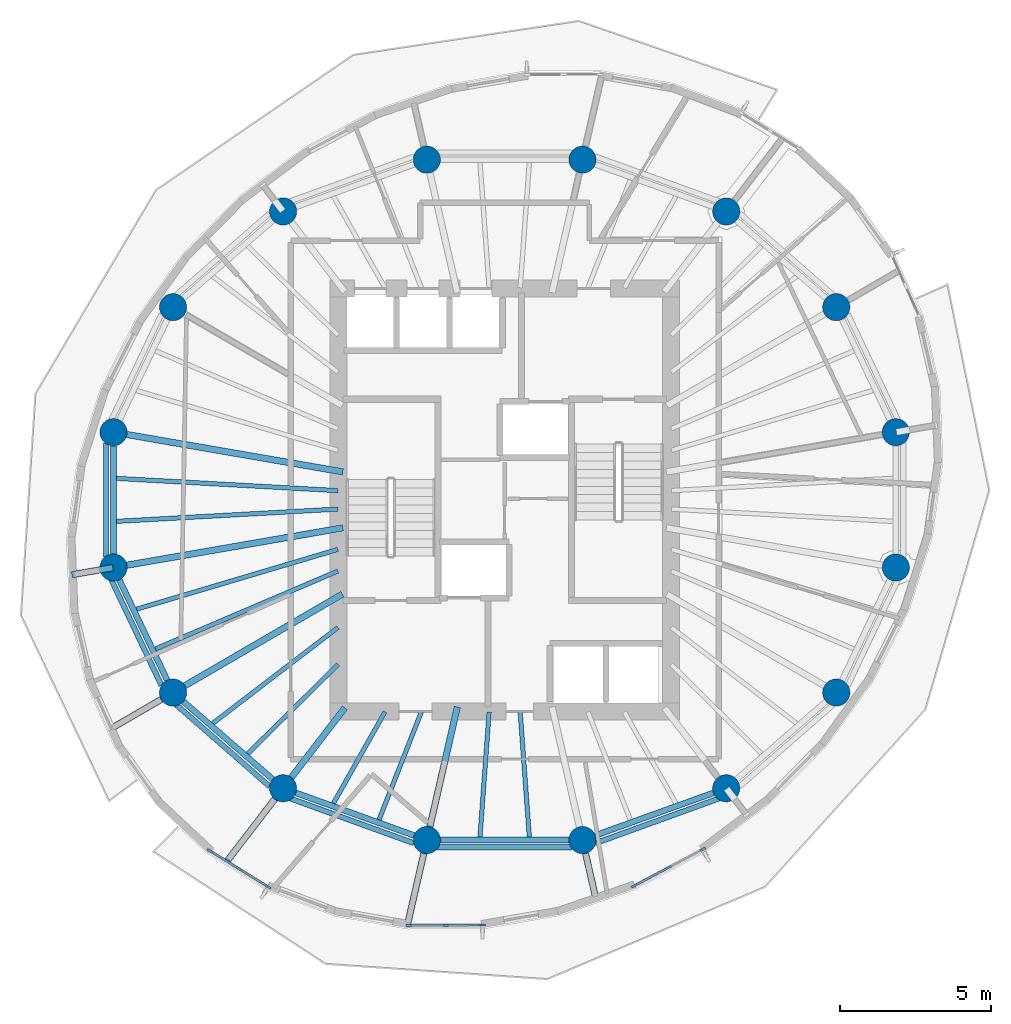
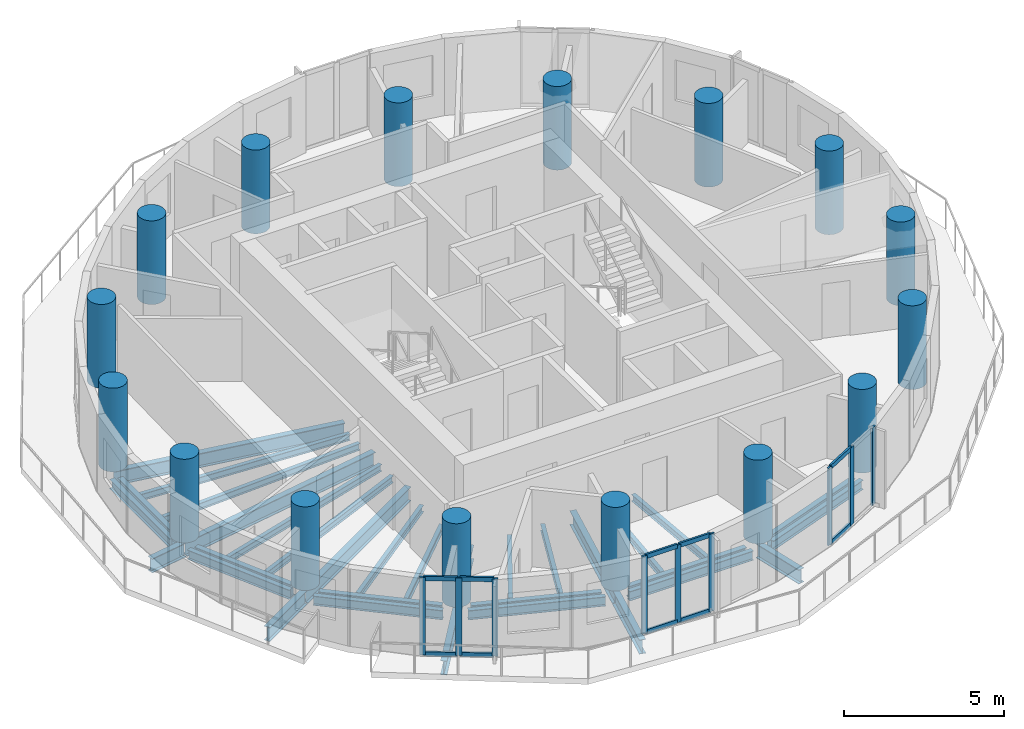
# One storey, part 1 of 10: 32 beams, 19 members, 16 columns, 3 elements without a shape of their own.
"""IFC4 building model written with IfcOpenShell, lengths in metres."""

from ifc_helpers import new_model, si_unit, direction, frame, origin, origin_2d, place, context, subcontext, project, spatial, rectangle, circle, i_section, extrude, material, material_profile, profile_set, type_object, element, aggregate, save


model = new_model("IFC4")

# Units and contexts
model_context = context("Model", 3, precision=1e-05, world=origin(), true_north=direction((0.0, 1.0)))
body_context = subcontext(model_context, "Body", "Model", "MODEL_VIEW")
ifc_project = project(units=[si_unit("LENGTHUNIT", "METRE"), si_unit("AREAUNIT", "SQUARE_METRE"), si_unit("VOLUMEUNIT", "CUBIC_METRE"), si_unit("PLANEANGLEUNIT", "RADIAN"), si_unit("MASSUNIT", "GRAM", prefix="KILO")], contexts=[model_context])

# Site, building, storey
site_placement = place(None, origin())
site = spatial("IfcSite", under=ifc_project, at=site_placement, CompositionType="ELEMENT")
building_placement = place(site_placement, origin())
building = spatial("IfcBuilding", under=site, at=building_placement, Name="Veldorim Arch Residences", CompositionType="ELEMENT")
storey_placement = place(building_placement, frame((0.0, 0.0, 169.43994140625)))
storey = spatial("IfcBuildingStorey", under=building, at=storey_placement, Name="L50", CompositionType="ELEMENT", Elevation=169.43994140625)

# Columns
ifc_material_1 = material(Name="Concrete C50/60", Category="concrete")
ifc_material_profile_1 = material_profile(ifc_material_1, circle(Radius=0.449951171875, at=origin_2d()), Name="RC_CIRC_900")
ifc_profile_set_1 = profile_set([ifc_material_profile_1], Name="Concrete C50/60")
column_type = type_object("IfcColumnType", Name="Structural Column RC_CIRC_900", PredefinedType="COLUMN", material=ifc_profile_set_1)
for number, where, z_axis, x_axis, name in (
    (1, (44.9462890625, 26.239501953125, 0.0), (0.0, 0.0, 1.0), (1.0, 0.0, 0.0), "L50 TC-Z4-01 perimeter column"),
    (2, (42.975341796875, 30.3779296875, 0.0), (0.0, 0.0, 1.0), (1.0, 0.0, 0.0), "L50 TC-Z4-02 perimeter column"),
    (3, (39.33349609375, 33.54541015625, 0.0), (0.0, 0.0, 1.0), (1.0, 0.0, 0.0), "L50 TC-Z4-03 perimeter column"),
    (4, (34.5751953125, 35.259521484375, 0.0), (0.0, 0.0, 1.0), (1.0, 0.0, 0.0), "L50 TC-Z4-04 perimeter column"),
    (5, (29.4248046875, 35.259521484375, 0.0), (0.0, 0.0, 1.0), (1.0, 0.0, 0.0), "L50 TC-Z4-05 perimeter column"),
    (6, (24.66650390625, 33.54541015625, 0.0), (0.0, 0.0, 1.0), (1.0, 0.0, 0.0), "L50 TC-Z4-06 perimeter column"),
    (7, (21.024658203125, 30.3779296875, 0.0), (0.0, 0.0, 1.0), (1.0, 0.0, 0.0), "L50 TC-Z4-07 perimeter column"),
    (8, (19.0537109375, 26.239501953125, 0.0), (0.0, 0.0, 1.0), (1.0, 0.0, 0.0), "L50 TC-Z4-08 perimeter column"),
    (9, (19.0537109375, 21.760498046875, 0.0), (0.0, 0.0, 1.0), (1.0, 0.0, 0.0), "L50 TC-Z4-09 perimeter column"),
    (10, (21.024658203125, 17.6220703125, 0.0), (0.0, 0.0, 1.0), (1.0, 0.0, 0.0), "L50 TC-Z4-10 perimeter column"),
    (11, (24.66650390625, 14.45458984375, 0.0), (0.0, 0.0, 1.0), (1.0, 0.0, 0.0), "L50 TC-Z4-11 perimeter column"),
    (12, (29.4248046875, 12.740478515625, 0.0), (0.0, 0.0, 1.0), (1.0, 0.0, 0.0), "L50 TC-Z4-12 perimeter column"),
    (13, (34.5751953125, 12.740478515625, 0.0), (0.0, 0.0, 1.0), (1.0, 0.0, 0.0), "L50 TC-Z4-13 perimeter column"),
    (14, (39.33349609375, 14.45458984375, 0.0), (0.0, 0.0, 1.0), (1.0, 0.0, 0.0), "L50 TC-Z4-14 perimeter column"),
    (15, (42.975341796875, 17.6220703125, 0.0), (0.0, 0.0, 1.0), (1.0, 0.0, 0.0), "L50 TC-Z4-15 perimeter column"),
    (16, (44.9462890625, 21.760498046875, 0.0), (0.0, 0.0, 1.0), (1.0, 0.0, 0.0), "L50 TC-Z4-16 perimeter column"),
):
    element("IfcColumn", number, at=place(storey_placement, frame(where, z_axis=z_axis, x_axis=x_axis)), inside=storey, type_object=column_type, Name=name, PredefinedType="COLUMN", context=body_context, shape_type="SweptSolid", body=[
        extrude(circle(Radius=0.449951171875, at=origin_2d()), origin(), (0.0, 0.0, 1.0), 3.199951171875),
    ])

# Beams
ifc_material_2 = material(Name="Steel S355", Category="steel")
ifc_material_profile_2 = material_profile(ifc_material_2, i_section(OverallWidth=0.2119140625, OverallDepth=0.54443359375, WebThickness=0.0126953125, FlangeThickness=0.021240234375, at=origin_2d()), Name="UB533x210x122")
ifc_profile_set_2 = profile_set([ifc_material_profile_2], Name="Steel S355")
beam_type_1 = type_object("IfcBeamType", Name="Structural Steel Beam UB533x210x122", PredefinedType="BEAM", material=ifc_profile_set_2)
for number, where, z_axis, x_axis, name in (
    (17, (26.647705078125, 24.92578125, -0.51220703125), (-0.985364974081, 0.170457818401, 0.0), (-0.170457818401, -0.985364974081, 0.0), "L50 radial floor girder 08"),
    (18, (26.647705078125, 23.07421875, -0.51220703125), (-0.985364974081, -0.170457818401, 0.0), (0.170457818401, -0.985364974081, 0.0), "L50 radial floor girder 09"),
):
    element("IfcBeam", number, at=place(storey_placement, frame(where, z_axis=z_axis, x_axis=x_axis)), inside=storey, type_object=beam_type_1, Name=name, PredefinedType="BEAM", context=body_context, shape_type="SweptSolid", body=[
        extrude(i_section(OverallWidth=0.2119140625, OverallDepth=0.54443359375, WebThickness=0.0126953125, FlangeThickness=0.021240234375, at=origin_2d()), origin(), (0.0, 0.0, 1.0), 7.68701171875),
    ])
beam_1_placement = place(storey_placement, frame((19.033935546875, 21.757080078125, -0.51220703125), z_axis=(-0.985349360006, -0.170548054035, 0.0), x_axis=(0.170548054035, -0.985349360006, 0.0)))
element("IfcBeam", 19, at=beam_1_placement, inside=storey, type_object=beam_type_1, Name="L50 radial edge cantilever girder 09", PredefinedType="BEAM", context=body_context, shape_type="SweptSolid", body=[
    extrude(i_section(OverallWidth=0.2119140625, OverallDepth=0.54443359375, WebThickness=0.0126953125, FlangeThickness=0.021240234375, at=origin_2d()), origin(), (0.0, 0.0, 1.0), 1.377197265625),
])
beam_2_placement = place(storey_placement, frame((26.629638671875, 20.87939453125, -0.51220703125), z_axis=(-0.864595736304, -0.502468121142, 0.0), x_axis=(0.502468121142, -0.864595736304, 0.0)))
element("IfcBeam", 20, at=beam_2_placement, inside=storey, type_object=beam_type_1, Name="L50 radial floor girder 10", PredefinedType="BEAM", context=body_context, shape_type="SweptSolid", body=[
    extrude(i_section(OverallWidth=0.2119140625, OverallDepth=0.54443359375, WebThickness=0.0126953125, FlangeThickness=0.021240234375, at=origin_2d()), origin(), (0.0, 0.0, 1.0), 6.462646484375),
])
beam_3_placement = place(storey_placement, frame((21.00732421875, 17.612060546875, -0.51220703125), z_axis=(-0.864610127671, -0.502443357135, 0.0), x_axis=(0.502443357135, -0.864610127671, 0.0)))
element("IfcBeam", 21, at=beam_3_placement, inside=storey, type_object=beam_type_1, Name="L50 radial edge cantilever girder 10", PredefinedType="BEAM", context=body_context, shape_type="SweptSolid", body=[
    extrude(i_section(OverallWidth=0.2119140625, OverallDepth=0.54443359375, WebThickness=0.0126953125, FlangeThickness=0.021240234375, at=origin_2d()), origin(), (0.0, 0.0, 1.0), 2.372314453125),
])
beam_4_placement = place(storey_placement, frame((26.71337890625, 17.118896484375, -0.51220703125), z_axis=(-0.609258442308, -0.792971721108, 0.0), x_axis=(0.792971721108, -0.609258442308, 0.0)))
element("IfcBeam", 22, at=beam_4_placement, inside=storey, type_object=beam_type_1, Name="L50 radial floor girder 11", PredefinedType="BEAM", context=body_context, shape_type="SweptSolid", body=[
    extrude(i_section(OverallWidth=0.2119140625, OverallDepth=0.54443359375, WebThickness=0.0126953125, FlangeThickness=0.021240234375, at=origin_2d()), origin(), (0.0, 0.0, 1.0), 3.339599609375),
])
beam_5_placement = place(storey_placement, frame((24.654296875, 14.438720703125, -0.51220703125), z_axis=(-0.609245785417, -0.792981445528, 0.0), x_axis=(0.792981445528, -0.609245785417, 0.0)))
element("IfcBeam", 23, at=beam_5_placement, inside=storey, type_object=beam_type_1, Name="L50 radial edge cantilever girder 11", PredefinedType="BEAM", context=body_context, shape_type="SweptSolid", body=[
    extrude(i_section(OverallWidth=0.2119140625, OverallDepth=0.54443359375, WebThickness=0.0126953125, FlangeThickness=0.021240234375, at=origin_2d()), origin(), (0.0, 0.0, 1.0), 3.020263671875),
])
beam_6_placement = place(storey_placement, frame((30.432373046875, 17.146240234375, -0.51220703125), z_axis=(-0.222952976993, -0.97482920045, 0.0), x_axis=(0.97482920045, -0.222952976993, 0.0)))
element("IfcBeam", 24, at=beam_6_placement, inside=storey, type_object=beam_type_1, Name="L50 radial floor girder 12", PredefinedType="BEAM", context=body_context, shape_type="SweptSolid", body=[
    extrude(i_section(OverallWidth=0.2119140625, OverallDepth=0.54443359375, WebThickness=0.0126953125, FlangeThickness=0.021240234375, at=origin_2d()), origin(), (0.0, 0.0, 1.0), 4.49951171875),
])
beam_7_placement = place(storey_placement, frame((29.42041015625, 12.72119140625, -0.51220703125), z_axis=(-0.222975521586, -0.974824044007, 0.0), x_axis=(0.974824044007, -0.222975521586, 0.0)))
element("IfcBeam", 25, at=beam_7_placement, inside=storey, type_object=beam_type_1, Name="L50 radial edge cantilever girder 12", PredefinedType="BEAM", context=body_context, shape_type="SweptSolid", body=[
    extrude(i_section(OverallWidth=0.2119140625, OverallDepth=0.54443359375, WebThickness=0.0126953125, FlangeThickness=0.021240234375, at=origin_2d()), origin(), (0.0, 0.0, 1.0), 2.85888671875),
])
beam_8_placement = place(storey_placement, frame((34.57958984375, 12.72119140625, -0.51220703125), z_axis=(0.223002397565, -0.974817896163, 0.0), x_axis=(0.974817896163, 0.223002397565, 0.0)))
element("IfcBeam", 26, at=beam_8_placement, inside=storey, type_object=beam_type_1, Name="L50 radial edge cantilever girder 13", PredefinedType="BEAM", context=body_context, shape_type="SweptSolid", body=[
    extrude(i_section(OverallWidth=0.2119140625, OverallDepth=0.54443359375, WebThickness=0.0126953125, FlangeThickness=0.021240234375, at=origin_2d()), origin(), (0.0, 0.0, 1.0), 1.978271484375),
])
ifc_material_3 = material(Name="Steel S355", Category="steel")
ifc_material_profile_3 = material_profile(ifc_material_3, i_section(OverallWidth=0.146484375, OverallDepth=0.256103515625, WebThickness=0.00634765625, FlangeThickness=0.010986328125, at=origin_2d()), Name="UB254x146x37")
ifc_profile_set_3 = profile_set([ifc_material_profile_3], Name="Steel S355")
beam_type_2 = type_object("IfcBeamType", Name="Structural Steel Joist UB254x146x37", PredefinedType="JOIST", material=ifc_profile_set_3)
for number, where, z_axis, x_axis, name in (
    (27, (26.47998046875, 24.3056640625, -0.367919921875), (-0.998472000884, 0.055259962464, 0.0), (-0.055259962464, -0.998472000884, 0.0), "L50 secondary radial floor joist 08-1"),
    (28, (26.47998046875, 23.6943359375, -0.367919921875), (-0.998472000884, -0.055259962464, 0.0), (0.055259962464, -0.998472000884, 0.0), "L50 secondary radial floor joist 08-2"),
):
    element("IfcBeam", number, at=place(storey_placement, frame(where, z_axis=z_axis, x_axis=x_axis)), inside=storey, type_object=beam_type_2, Name=name, PredefinedType="JOIST", context=body_context, shape_type="SweptSolid", body=[
        extrude(i_section(OverallWidth=0.146484375, OverallDepth=0.256103515625, WebThickness=0.00634765625, FlangeThickness=0.010986328125, at=origin_2d()), origin(), (0.0, 0.0, 1.0), 7.33837890625),
    ])
beam_9_placement = place(storey_placement, frame((26.480712890625, 22.360595703125, -0.367919921875), z_axis=(-0.958594432792, -0.284774846889, 0.0), x_axis=(0.284774846889, -0.958594432792, 0.0)))
element("IfcBeam", 29, at=beam_9_placement, inside=storey, type_object=beam_type_2, Name="L50 secondary radial floor joist 09-1", PredefinedType="JOIST", context=body_context, shape_type="SweptSolid", body=[
    extrude(i_section(OverallWidth=0.146484375, OverallDepth=0.256103515625, WebThickness=0.00634765625, FlangeThickness=0.010986328125, at=origin_2d()), origin(), (0.0, 0.0, 1.0), 6.949462890625),
])
beam_10_placement = place(storey_placement, frame((26.481689453125, 21.644287109375, -0.367919921875), z_axis=(-0.919725161652, -0.392562895629, 0.0), x_axis=(0.392562895629, -0.919725161652, 0.0)))
element("IfcBeam", 30, at=beam_10_placement, inside=storey, type_object=beam_type_2, Name="L50 secondary radial floor joist 09-2", PredefinedType="JOIST", context=body_context, shape_type="SweptSolid", body=[
    extrude(i_section(OverallWidth=0.146484375, OverallDepth=0.256103515625, WebThickness=0.00634765625, FlangeThickness=0.010986328125, at=origin_2d()), origin(), (0.0, 0.0, 1.0), 6.5625),
])
beam_11_placement = place(storey_placement, frame((26.484130859375, 19.777099609375, -0.367919921875), z_axis=(-0.794013672216, -0.607899899929, 0.0), x_axis=(0.607899899929, -0.794013672216, 0.0)))
element("IfcBeam", 31, at=beam_11_placement, inside=storey, type_object=beam_type_2, Name="L50 secondary radial floor joist 10-1", PredefinedType="JOIST", context=body_context, shape_type="SweptSolid", body=[
    extrude(i_section(OverallWidth=0.146484375, OverallDepth=0.256103515625, WebThickness=0.00634765625, FlangeThickness=0.010986328125, at=origin_2d()), origin(), (0.0, 0.0, 1.0), 5.217041015625),
])
beam_12_placement = place(storey_placement, frame((26.48583984375, 18.55224609375, -0.367919921875), z_axis=(-0.711396725432, -0.702790650937, 0.0), x_axis=(0.702790650937, -0.711396725432, 0.0)))
element("IfcBeam", 32, at=beam_12_placement, inside=storey, type_object=beam_type_2, Name="L50 secondary radial floor joist 10-2", PredefinedType="JOIST", context=body_context, shape_type="SweptSolid", body=[
    extrude(i_section(OverallWidth=0.146484375, OverallDepth=0.256103515625, WebThickness=0.00634765625, FlangeThickness=0.010986328125, at=origin_2d()), origin(), (0.0, 0.0, 1.0), 4.198486328125),
])
beam_13_placement = place(storey_placement, frame((28.039794921875, 16.982666015625, -0.367919921875), z_axis=(-0.491452469585, -0.870904397818, 0.0), x_axis=(0.870904397818, -0.491452469585, 0.0)))
element("IfcBeam", 33, at=beam_13_placement, inside=storey, type_object=beam_type_2, Name="L50 secondary radial floor joist 11-1", PredefinedType="JOIST", context=body_context, shape_type="SweptSolid", body=[
    extrude(i_section(OverallWidth=0.146484375, OverallDepth=0.256103515625, WebThickness=0.00634765625, FlangeThickness=0.010986328125, at=origin_2d()), origin(), (0.0, 0.0, 1.0), 3.472412109375),
])
beam_14_placement = place(storey_placement, frame((29.24365234375, 16.9814453125, -0.367919921875), z_axis=(-0.365581383042, -0.930779379001, 0.0), x_axis=(0.930779379001, -0.365581383042, 0.0)))
element("IfcBeam", 34, at=beam_14_placement, inside=storey, type_object=beam_type_2, Name="L50 secondary radial floor joist 11-2", PredefinedType="JOIST", context=body_context, shape_type="SweptSolid", body=[
    extrude(i_section(OverallWidth=0.146484375, OverallDepth=0.256103515625, WebThickness=0.00634765625, FlangeThickness=0.010986328125, at=origin_2d()), origin(), (0.0, 0.0, 1.0), 3.83056640625),
])
for number, where, z_axis, x_axis, name in (
    (35, (31.486083984375, 16.97998046875, -0.367919921875), (-0.072985625899, -0.997332992742, 0.0), (0.997332992742, -0.072985625899, 0.0), "L50 secondary radial floor joist 12-1"),
    (36, (32.513916015625, 16.97998046875, -0.367919921875), (0.072985625899, -0.997332992742, 0.0), (0.997332992742, 0.072985625899, 0.0), "L50 secondary radial floor joist 12-2"),
):
    element("IfcBeam", number, at=place(storey_placement, frame(where, z_axis=z_axis, x_axis=x_axis)), inside=storey, type_object=beam_type_2, Name=name, PredefinedType="JOIST", context=body_context, shape_type="SweptSolid", body=[
        extrude(i_section(OverallWidth=0.146484375, OverallDepth=0.256103515625, WebThickness=0.00634765625, FlangeThickness=0.010986328125, at=origin_2d()), origin(), (0.0, 0.0, 1.0), 4.151123046875),
    ])
ifc_material_4 = material(Name="Steel S355", Category="steel")
ifc_material_profile_4 = material_profile(ifc_material_4, i_section(OverallWidth=0.172119140625, OverallDepth=0.35791015625, WebThickness=0.008056640625, FlangeThickness=0.012939453125, at=origin_2d()), Name="UB356x171x57")
ifc_profile_set_4 = profile_set([ifc_material_profile_4], Name="Steel S355")
beam_type_3 = type_object("IfcBeamType", Name="Structural Steel Spandrel UB356x171x57", PredefinedType="SPANDREL", material=ifc_profile_set_4)
beam_15_placement = place(storey_placement, frame((18.809814453125, 25.8857421875, -0.43896484375), z_axis=(0.0, -1.0, 0.0), x_axis=(1.0, 0.0, 0.0)))
element("IfcBeam", 37, at=beam_15_placement, inside=storey, type_object=beam_type_3, Name="L50 perimeter chord spandrel beam 08", PredefinedType="SPANDREL", context=body_context, shape_type="SweptSolid", body=[
    extrude(i_section(OverallWidth=0.172119140625, OverallDepth=0.35791015625, WebThickness=0.008056640625, FlangeThickness=0.012939453125, at=origin_2d()), origin(), (0.0, 0.0, 1.0), 3.771484375),
])
beam_16_placement = place(storey_placement, frame((18.9794921875, 21.3603515625, -0.43896484375), z_axis=(0.428408308939, -0.903585259304, 0.0), x_axis=(0.903585259304, 0.428408308939, 0.0)))
element("IfcBeam", 38, at=beam_16_placement, inside=storey, type_object=beam_type_3, Name="L50 perimeter chord spandrel beam 09", PredefinedType="SPANDREL", context=body_context, shape_type="SweptSolid", body=[
    extrude(i_section(OverallWidth=0.172119140625, OverallDepth=0.35791015625, WebThickness=0.008056640625, FlangeThickness=0.012939453125, at=origin_2d()), origin(), (0.0, 0.0, 1.0), 3.878662109375),
])
beam_17_placement = place(storey_placement, frame((21.108642578125, 17.237060546875, -0.43896484375), z_axis=(0.752847646119, -0.6581948205, 0.0), x_axis=(0.6581948205, 0.752847646119, 0.0)))
element("IfcBeam", 39, at=beam_17_placement, inside=storey, type_object=beam_type_3, Name="L50 perimeter chord spandrel beam 10", PredefinedType="SPANDREL", context=body_context, shape_type="SweptSolid", body=[
    extrude(i_section(OverallWidth=0.172119140625, OverallDepth=0.35791015625, WebThickness=0.008056640625, FlangeThickness=0.012939453125, at=origin_2d()), origin(), (0.0, 0.0, 1.0), 4.12939453125),
])
beam_18_placement = place(storey_placement, frame((24.887939453125, 14.12353515625, -0.43896484375), z_axis=(0.940164695555, -0.340720332871, 0.0), x_axis=(0.340720332871, 0.940164695555, 0.0)))
element("IfcBeam", 40, at=beam_18_placement, inside=storey, type_object=beam_type_3, Name="L50 perimeter chord spandrel beam 11", PredefinedType="SPANDREL", context=body_context, shape_type="SweptSolid", body=[
    extrude(i_section(OverallWidth=0.172119140625, OverallDepth=0.35791015625, WebThickness=0.008056640625, FlangeThickness=0.012939453125, at=origin_2d()), origin(), (0.0, 0.0, 1.0), 4.370849609375),
])
beam_19_placement = place(storey_placement, frame((29.765625, 12.499267578125, -0.43896484375), z_axis=(1.0, 0.0, 0.0), x_axis=(0.0, 1.0, 0.0)))
element("IfcBeam", 41, at=beam_19_placement, inside=storey, type_object=beam_type_3, Name="L50 perimeter chord spandrel beam 12", PredefinedType="SPANDREL", context=body_context, shape_type="SweptSolid", body=[
    extrude(i_section(OverallWidth=0.172119140625, OverallDepth=0.35791015625, WebThickness=0.008056640625, FlangeThickness=0.012939453125, at=origin_2d()), origin(), (0.0, 0.0, 1.0), 4.46875),
])
beam_20_placement = place(storey_placement, frame((35.002685546875, 12.63427734375, -0.43896484375), z_axis=(0.940164695555, 0.340720332871, 0.0), x_axis=(-0.340720332871, 0.940164695555, 0.0)))
element("IfcBeam", 42, at=beam_20_placement, inside=storey, type_object=beam_type_3, Name="L50 perimeter chord spandrel beam 13", PredefinedType="SPANDREL", context=body_context, shape_type="SweptSolid", body=[
    extrude(i_section(OverallWidth=0.172119140625, OverallDepth=0.35791015625, WebThickness=0.008056640625, FlangeThickness=0.012939453125, at=origin_2d()), origin(), (0.0, 0.0, 1.0), 4.370849609375),
])
ifc_material_5 = material(Name="Steel S355", Category="steel")
ifc_material_profile_5 = material_profile(ifc_material_5, i_section(OverallWidth=0.19140625, OverallDepth=0.4599609375, WebThickness=0.010009765625, FlangeThickness=0.01611328125, at=origin_2d()), Name="UB457x191x82")
ifc_profile_set_5 = profile_set([ifc_material_profile_5], Name="Steel S355")
beam_type_4 = type_object("IfcBeamType", Name="Structural Steel Spandrel UB457x191x82", PredefinedType="SPANDREL", material=ifc_profile_set_5)
beam_21_placement = place(storey_placement, frame((19.0537109375, 25.78955078125, -0.469970703125), z_axis=(0.0, -1.0, 0.0), x_axis=(1.0, 0.0, 0.0)))
element("IfcBeam", 43, at=beam_21_placement, inside=storey, type_object=beam_type_4, Name="L50 perimeter ring tie beam 08", PredefinedType="SPANDREL", context=body_context, shape_type="SweptSolid", body=[
    extrude(i_section(OverallWidth=0.19140625, OverallDepth=0.4599609375, WebThickness=0.010009765625, FlangeThickness=0.01611328125, at=origin_2d()), origin(), (0.0, 0.0, 1.0), 3.5791015625),
])
beam_22_placement = place(storey_placement, frame((19.2470703125, 21.35400390625, -0.469970703125), z_axis=(0.430005613988, -0.902826213586, 0.0), x_axis=(0.902826213586, 0.430005613988, 0.0)))
element("IfcBeam", 44, at=beam_22_placement, inside=storey, type_object=beam_type_4, Name="L50 perimeter ring tie beam 09", PredefinedType="SPANDREL", context=body_context, shape_type="SweptSolid", body=[
    extrude(i_section(OverallWidth=0.19140625, OverallDepth=0.4599609375, WebThickness=0.010009765625, FlangeThickness=0.01611328125, at=origin_2d()), origin(), (0.0, 0.0, 1.0), 3.68359375),
])
beam_23_placement = place(storey_placement, frame((21.364013671875, 17.326904296875, -0.469970703125), z_axis=(0.754545285701, -0.656247980436, 0.0), x_axis=(0.656247980436, 0.754545285701, 0.0)))
element("IfcBeam", 45, at=beam_23_placement, inside=storey, type_object=beam_type_4, Name="L50 perimeter ring tie beam 10", PredefinedType="SPANDREL", context=body_context, shape_type="SweptSolid", body=[
    extrude(i_section(OverallWidth=0.19140625, OverallDepth=0.4599609375, WebThickness=0.010009765625, FlangeThickness=0.01611328125, at=origin_2d()), origin(), (0.0, 0.0, 1.0), 3.9267578125),
])
beam_24_placement = place(storey_placement, frame((25.08984375, 14.30224609375, -0.469970703125), z_axis=(0.940811035395, -0.338931550137, 0.0), x_axis=(0.338931550137, 0.940811035395, 0.0)))
element("IfcBeam", 46, at=beam_24_placement, inside=storey, type_object=beam_type_4, Name="L50 perimeter ring tie beam 11", PredefinedType="SPANDREL", context=body_context, shape_type="SweptSolid", body=[
    extrude(i_section(OverallWidth=0.19140625, OverallDepth=0.4599609375, WebThickness=0.010009765625, FlangeThickness=0.01611328125, at=origin_2d()), origin(), (0.0, 0.0, 1.0), 4.15771484375),
])
beam_25_placement = place(storey_placement, frame((29.874755859375, 12.740478515625, -0.469970703125), z_axis=(1.0, 0.0, 0.0), x_axis=(0.0, 1.0, 0.0)))
element("IfcBeam", 47, at=beam_25_placement, inside=storey, type_object=beam_type_4, Name="L50 perimeter ring tie beam 12", PredefinedType="SPANDREL", context=body_context, shape_type="SweptSolid", body=[
    extrude(i_section(OverallWidth=0.19140625, OverallDepth=0.4599609375, WebThickness=0.010009765625, FlangeThickness=0.01611328125, at=origin_2d()), origin(), (0.0, 0.0, 1.0), 4.25048828125),
])
beam_26_placement = place(storey_placement, frame((34.99853515625, 12.89306640625, -0.469970703125), z_axis=(0.940811035395, 0.338931550137, 0.0), x_axis=(-0.338931550137, 0.940811035395, 0.0)))
element("IfcBeam", 48, at=beam_26_placement, inside=storey, type_object=beam_type_4, Name="L50 perimeter ring tie beam 13", PredefinedType="SPANDREL", context=body_context, shape_type="SweptSolid", body=[
    extrude(i_section(OverallWidth=0.19140625, OverallDepth=0.4599609375, WebThickness=0.010009765625, FlangeThickness=0.01611328125, at=origin_2d()), origin(), (0.0, 0.0, 1.0), 4.15771484375),
])

# Curtain wall, members
ifc_material_6 = material(Name="Aluminium", Category="aluminium")
curtain_wall_type = type_object("IfcCurtainWallType", Name="Zone 4 High-Altitude Unitised Curtain Wall", PredefinedType="NOTDEFINED", material=ifc_material_6)
curtain_wall_1_placement = place(storey_placement, origin())
curtain_wall_1 = element("IfcCurtainWall", 49, at=curtain_wall_1_placement, inside=storey, type_object=curtain_wall_type, Name="L50 unitised curtain wall bay 20", PredefinedType="NOTDEFINED")
ifc_material_7 = material(Name="Aluminium", Category="aluminium")
ifc_material_profile_6 = material_profile(ifc_material_7, rectangle(XDim=0.074951171875, YDim=0.195068359375, at=origin_2d()), Name="ALU_MUL_75x195")
ifc_profile_set_6 = profile_set([ifc_material_profile_6], Name="Aluminium")
member_type_1 = type_object("IfcMemberType", Name="Zone 4 High-Altitude Unitised Curtain Wall Mullion 75x195", PredefinedType="MULLION", material=ifc_profile_set_6)
member_1_placement = place(storey_placement, frame((24.17529296875, 11.19140625, 0.0), z_axis=(0.0, 0.0, 1.0), x_axis=(-0.525637112191, -0.850708896326, 0.0)))
member_1 = element("IfcMember", 50, at=member_1_placement, type_object=member_type_1, Name="CW-Z4 mullion 1", PredefinedType="MULLION", context=body_context, shape_type="SweptSolid", body=[
    extrude(rectangle(XDim=0.074951171875, YDim=0.195068359375, at=origin_2d()), origin(), (0.0, 0.0, 1.0), 2.9599609375),
])
member_2_placement = place(storey_placement, frame((23.208984375, 11.78857421875, 0.0), z_axis=(0.0, 0.0, 1.0), x_axis=(-0.525637112191, -0.850708896326, 0.0)))
member_2 = element("IfcMember", 51, at=member_2_placement, type_object=member_type_1, Name="CW-Z4 mullion 2", PredefinedType="MULLION", context=body_context, shape_type="SweptSolid", body=[
    extrude(rectangle(XDim=0.074951171875, YDim=0.195068359375, at=origin_2d()), origin(), (0.0, 0.0, 1.0), 2.9599609375),
])
member_3_placement = place(storey_placement, frame((22.24267578125, 12.385498046875, 0.0), z_axis=(0.0, 0.0, 1.0), x_axis=(-0.525637112191, -0.850708896326, 0.0)))
member_3 = element("IfcMember", 52, at=member_3_placement, type_object=member_type_1, Name="CW-Z4 mullion 3", PredefinedType="MULLION", context=body_context, shape_type="SweptSolid", body=[
    extrude(rectangle(XDim=0.074951171875, YDim=0.195068359375, at=origin_2d()), origin(), (0.0, 0.0, 1.0), 2.9599609375),
])

curtain_wall_2_placement = place(storey_placement, origin())
curtain_wall_2 = element("IfcCurtainWall", 53, at=curtain_wall_2_placement, inside=storey, type_object=curtain_wall_type, Name="L50 unitised curtain wall bay 23", PredefinedType="NOTDEFINED")
member_4_placement = place(storey_placement, frame((31.26416015625, 9.926513671875, 0.0), z_axis=(0.0, 0.0, 1.0), x_axis=(0.002677634077, -0.999996415131, 0.0)))
member_4 = element("IfcMember", 54, at=member_4_placement, type_object=member_type_1, Name="CW-Z4 mullion 1", PredefinedType="MULLION", context=body_context, shape_type="SweptSolid", body=[
    extrude(rectangle(XDim=0.074951171875, YDim=0.195068359375, at=origin_2d()), origin(), (0.0, 0.0, 1.0), 2.9599609375),
])
member_5_placement = place(storey_placement, frame((30.050537109375, 9.92333984375, 0.0), z_axis=(0.0, 0.0, 1.0), x_axis=(0.002677634077, -0.999996415131, 0.0)))
member_5 = element("IfcMember", 55, at=member_5_placement, type_object=member_type_1, Name="CW-Z4 mullion 2", PredefinedType="MULLION", context=body_context, shape_type="SweptSolid", body=[
    extrude(rectangle(XDim=0.074951171875, YDim=0.195068359375, at=origin_2d()), origin(), (0.0, 0.0, 1.0), 2.9599609375),
])
member_6_placement = place(storey_placement, frame((28.8369140625, 9.919921875, 0.0), z_axis=(0.0, 0.0, 1.0), x_axis=(0.002677634077, -0.999996415131, 0.0)))
member_6 = element("IfcMember", 56, at=member_6_placement, type_object=member_type_1, Name="CW-Z4 mullion 3", PredefinedType="MULLION", context=body_context, shape_type="SweptSolid", body=[
    extrude(rectangle(XDim=0.074951171875, YDim=0.195068359375, at=origin_2d()), origin(), (0.0, 0.0, 1.0), 2.9599609375),
])

curtain_wall_3_placement = place(storey_placement, origin())
curtain_wall_3 = element("IfcCurtainWall", 57, at=curtain_wall_3_placement, inside=storey, type_object=curtain_wall_type, Name="L50 unitised curtain wall bay 26", PredefinedType="NOTDEFINED")
member_7_placement = place(storey_placement, frame((38.555419921875, 12.43505859375, 0.0), z_axis=(0.0, 0.0, 1.0), x_axis=(0.470186448073, -0.882567110223, 0.0)))
member_7 = element("IfcMember", 58, at=member_7_placement, type_object=member_type_1, Name="CW-Z4 mullion 1", PredefinedType="MULLION", context=body_context, shape_type="SweptSolid", body=[
    extrude(rectangle(XDim=0.074951171875, YDim=0.195068359375, at=origin_2d()), origin(), (0.0, 0.0, 1.0), 2.9599609375),
])
member_8_placement = place(storey_placement, frame((37.419677734375, 11.829833984375, 0.0), z_axis=(0.0, 0.0, 1.0), x_axis=(0.470186448073, -0.882567110223, 0.0)))
member_8 = element("IfcMember", 59, at=member_8_placement, type_object=member_type_1, Name="CW-Z4 mullion 2", PredefinedType="MULLION", context=body_context, shape_type="SweptSolid", body=[
    extrude(rectangle(XDim=0.074951171875, YDim=0.195068359375, at=origin_2d()), origin(), (0.0, 0.0, 1.0), 2.9599609375),
])
member_9_placement = place(storey_placement, frame((36.283935546875, 11.224853515625, 0.0), z_axis=(0.0, 0.0, 1.0), x_axis=(0.470186448073, -0.882567110223, 0.0)))
member_9 = element("IfcMember", 60, at=member_9_placement, type_object=member_type_1, Name="CW-Z4 mullion 3", PredefinedType="MULLION", context=body_context, shape_type="SweptSolid", body=[
    extrude(rectangle(XDim=0.074951171875, YDim=0.195068359375, at=origin_2d()), origin(), (0.0, 0.0, 1.0), 2.9599609375),
])

# Member
ifc_material_8 = material(Name="Aluminium", Category="aluminium")
ifc_material_profile_7 = material_profile(ifc_material_8, rectangle(XDim=0.074951171875, YDim=0.1650390625, at=origin_2d()), Name="ALU_TRN_75x165")
ifc_profile_set_7 = profile_set([ifc_material_profile_7], Name="Aluminium")
member_type_2 = type_object("IfcMemberType", Name="Zone 4 High-Altitude Unitised Curtain Wall Transom 75x165", PredefinedType="USERDEFINED", material=ifc_profile_set_7)
member_10_placement = place(storey_placement, frame((24.1435546875, 11.211181640625, 0.03759765625), z_axis=(-0.850740499179, 0.525585961624, 0.0), x_axis=(-0.525585961624, -0.850740499179, 0.0)))
member_10 = element("IfcMember", 61, at=member_10_placement, type_object=member_type_2, Name="CW-Z4 transom 1.1", ObjectType="TRANSOM", PredefinedType="USERDEFINED", context=body_context, shape_type="SweptSolid", body=[
    extrude(rectangle(XDim=0.074951171875, YDim=0.1650390625, at=origin_2d()), origin(), (0.0, 0.0, 1.0), 1.06103515625),
])

member_11_placement = place(storey_placement, frame((24.1435546875, 11.211181640625, 2.922607421875), z_axis=(-0.850740499179, 0.525585961624, 0.0), x_axis=(-0.525585961624, -0.850740499179, 0.0)))
member_11 = element("IfcMember", 62, at=member_11_placement, type_object=member_type_2, Name="CW-Z4 transom 1.2", ObjectType="TRANSOM", PredefinedType="USERDEFINED", context=body_context, shape_type="SweptSolid", body=[
    extrude(rectangle(XDim=0.074951171875, YDim=0.1650390625, at=origin_2d()), origin(), (0.0, 0.0, 1.0), 1.06103515625),
])

member_12_placement = place(storey_placement, frame((23.17724609375, 11.80810546875, 0.03759765625), z_axis=(-0.850637601688, 0.525752480351, 0.0), x_axis=(-0.525752480351, -0.850637601688, 0.0)))
member_12 = element("IfcMember", 63, at=member_12_placement, type_object=member_type_2, Name="CW-Z4 transom 2.1", ObjectType="TRANSOM", PredefinedType="USERDEFINED", context=body_context, shape_type="SweptSolid", body=[
    extrude(rectangle(XDim=0.074951171875, YDim=0.1650390625, at=origin_2d()), origin(), (0.0, 0.0, 1.0), 1.06103515625),
])

member_13_placement = place(storey_placement, frame((23.17724609375, 11.80810546875, 2.922607421875), z_axis=(-0.850637601688, 0.525752480351, 0.0), x_axis=(-0.525752480351, -0.850637601688, 0.0)))
member_13 = element("IfcMember", 64, at=member_13_placement, type_object=member_type_2, Name="CW-Z4 transom 2.2", ObjectType="TRANSOM", PredefinedType="USERDEFINED", context=body_context, shape_type="SweptSolid", body=[
    extrude(rectangle(XDim=0.074951171875, YDim=0.1650390625, at=origin_2d()), origin(), (0.0, 0.0, 1.0), 1.06103515625),
])

aggregate(curtain_wall_1, [member_1, member_2, member_3, member_10, member_11, member_12, member_13])

member_14_placement = place(storey_placement, frame((31.2265625, 9.926513671875, 0.03759765625), z_axis=(-0.999996115482, -0.002787296205, 0.0), x_axis=(0.002787296205, -0.999996115482, 0.0)))
member_14 = element("IfcMember", 65, at=member_14_placement, type_object=member_type_2, Name="CW-Z4 transom 1.1", ObjectType="TRANSOM", PredefinedType="USERDEFINED", context=body_context, shape_type="SweptSolid", body=[
    extrude(rectangle(XDim=0.074951171875, YDim=0.1650390625, at=origin_2d()), origin(), (0.0, 0.0, 1.0), 1.138671875),
])

member_15_placement = place(storey_placement, frame((31.2265625, 9.926513671875, 2.922607421875), z_axis=(-0.999996115482, -0.002787296205, 0.0), x_axis=(0.002787296205, -0.999996115482, 0.0)))
member_15 = element("IfcMember", 66, at=member_15_placement, type_object=member_type_2, Name="CW-Z4 transom 1.2", ObjectType="TRANSOM", PredefinedType="USERDEFINED", context=body_context, shape_type="SweptSolid", body=[
    extrude(rectangle(XDim=0.074951171875, YDim=0.1650390625, at=origin_2d()), origin(), (0.0, 0.0, 1.0), 1.138671875),
])

member_16_placement = place(storey_placement, frame((30.012939453125, 9.923095703125, 0.03759765625), z_axis=(-0.999996688693, -0.002573442047, 0.0), x_axis=(0.002573442047, -0.999996688693, 0.0)))
member_16 = element("IfcMember", 67, at=member_16_placement, type_object=member_type_2, Name="CW-Z4 transom 2.1", ObjectType="TRANSOM", PredefinedType="USERDEFINED", context=body_context, shape_type="SweptSolid", body=[
    extrude(rectangle(XDim=0.074951171875, YDim=0.1650390625, at=origin_2d()), origin(), (0.0, 0.0, 1.0), 1.138427734375),
])

member_17_placement = place(storey_placement, frame((30.012939453125, 9.923095703125, 2.922607421875), z_axis=(-0.999996688693, -0.002573442047, 0.0), x_axis=(0.002573442047, -0.999996688693, 0.0)))
member_17 = element("IfcMember", 68, at=member_17_placement, type_object=member_type_2, Name="CW-Z4 transom 2.2", ObjectType="TRANSOM", PredefinedType="USERDEFINED", context=body_context, shape_type="SweptSolid", body=[
    extrude(rectangle(XDim=0.074951171875, YDim=0.1650390625, at=origin_2d()), origin(), (0.0, 0.0, 1.0), 1.138427734375),
])

aggregate(curtain_wall_2, [member_4, member_5, member_6, member_14, member_15, member_16, member_17])

member_18_placement = place(storey_placement, frame((37.386474609375, 11.812255859375, 0.03759765625), z_axis=(-0.882603828735, -0.470117518821, 0.0), x_axis=(0.470117518821, -0.882603828735, 0.0)))
member_18 = element("IfcMember", 69, at=member_18_placement, type_object=member_type_2, Name="CW-Z4 transom 2.1", ObjectType="TRANSOM", PredefinedType="USERDEFINED", context=body_context, shape_type="SweptSolid", body=[
    extrude(rectangle(XDim=0.074951171875, YDim=0.1650390625, at=origin_2d()), origin(), (0.0, 0.0, 1.0), 1.211669921875),
])

member_19_placement = place(storey_placement, frame((37.386474609375, 11.812255859375, 2.922607421875), z_axis=(-0.882603828735, -0.470117518821, 0.0), x_axis=(0.470117518821, -0.882603828735, 0.0)))
member_19 = element("IfcMember", 70, at=member_19_placement, type_object=member_type_2, Name="CW-Z4 transom 2.2", ObjectType="TRANSOM", PredefinedType="USERDEFINED", context=body_context, shape_type="SweptSolid", body=[
    extrude(rectangle(XDim=0.074951171875, YDim=0.1650390625, at=origin_2d()), origin(), (0.0, 0.0, 1.0), 1.211669921875),
])

aggregate(curtain_wall_3, [member_7, member_8, member_9, member_18, member_19])

save(model, "model.ifc")
